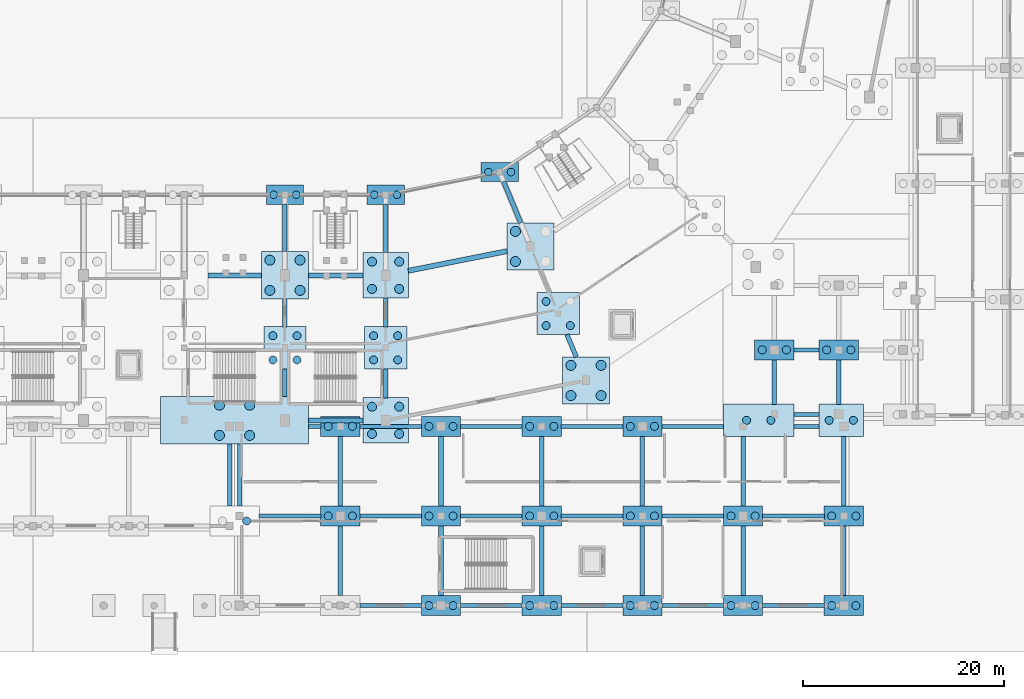
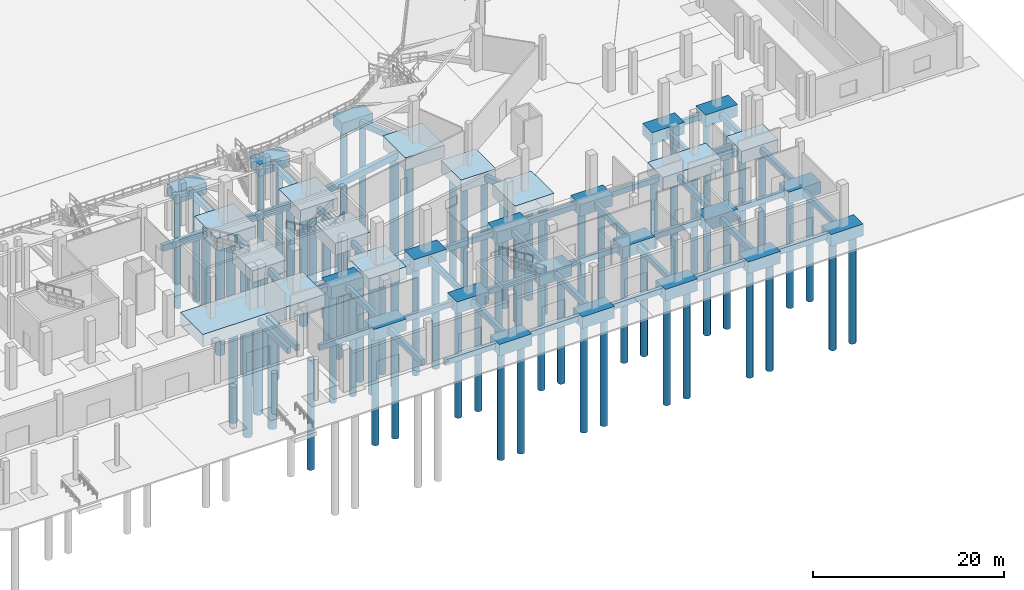
# One storey, part 6 of 68: 78 footings, 78 piles.
"""IFC4 building model written with IfcOpenShell, lengths in metres."""

from ifc_helpers import new_model, si_unit, direction, frame, origin, origin_2d, place, context, subcontext, project, spatial, rectangle, circle, extrude, material, material_profile, profile_set, type_object, element, save


model = new_model("IFC4")

# Units and contexts
model_context = context("Model", 3, precision=1e-05, world=origin(), true_north=direction((0.0, 1.0)))
body_context = subcontext(model_context, "Body", "Model", "MODEL_VIEW")
ifc_project = project(units=[si_unit("LENGTHUNIT", "METRE"), si_unit("AREAUNIT", "SQUARE_METRE"), si_unit("VOLUMEUNIT", "CUBIC_METRE"), si_unit("PLANEANGLEUNIT", "RADIAN"), si_unit("MASSUNIT", "GRAM", prefix="KILO")], contexts=[model_context])

# Site, building, storey
site_placement = place(None, origin())
site = spatial("IfcSite", under=ifc_project, at=site_placement, CompositionType="ELEMENT")
building_placement = place(site_placement, origin())
building = spatial("IfcBuilding", under=site, at=building_placement, Name="Candeia Ridge Stadium", CompositionType="ELEMENT")
storey_placement = place(building_placement, origin())
storey = spatial("IfcBuildingStorey", under=building, at=storey_placement, Name="L00", CompositionType="ELEMENT", Elevation=0.0)

# Piles
ifc_material = material(Name="Concrete C40/50", Category="concrete")
ifc_material_profile_1 = material_profile(ifc_material, circle(Radius=0.5, at=origin_2d()), Name="PILE-D1000", Category="concrete")
ifc_profile_set_1 = profile_set([ifc_material_profile_1], Name="Concrete C40/50")
pile_type_1 = type_object("IfcPileType", Name="Bored Concrete Pile D1000", PredefinedType="BORED", material=ifc_profile_set_1)
for number, where, z_axis, x_axis, name in (
    (1, (124.5, 17.5, -1.39990234375), (0.0, 0.0, -1.0), (1.0, 0.0, 0.0), "Bored concrete foundation pile PILE-0325"),
    (2, (127.5, 17.5, -1.39990234375), (0.0, 0.0, -1.0), (1.0, 0.0, 0.0), "Bored concrete foundation pile PILE-0326"),
    (3, (124.5, 20.5, -1.39990234375), (0.0, 0.0, -1.0), (1.0, 0.0, 0.0), "Bored concrete foundation pile PILE-0327"),
    (4, (127.5, 20.5, -1.39990234375), (0.0, 0.0, -1.0), (1.0, 0.0, 0.0), "Bored concrete foundation pile PILE-0328"),
    (5, (129.5, 31.89990234375, -1.39990234375), (0.0, 0.0, -1.0), (1.0, 0.0, 0.0), "Bored concrete foundation pile PILE-0331"),
    (6, (132.5, 31.89990234375, -1.39990234375), (0.0, 0.0, -1.0), (1.0, 0.0, 0.0), "Bored concrete foundation pile PILE-0332"),
    (7, (129.5, 34.89990234375, -1.39990234375), (0.0, 0.0, -1.0), (1.0, 0.0, 0.0), "Bored concrete foundation pile PILE-0333"),
    (8, (132.5, 34.89990234375, -1.39990234375), (0.0, 0.0, -1.0), (1.0, 0.0, 0.0), "Bored concrete foundation pile PILE-0334"),
    (9, (153.888916015625, 34.76220703125, -1.39990234375), (0.0, 0.0, -1.0), (1.0, 0.0, 0.0), "Bored concrete foundation pile PILE-0355"),
    (10, (153.888916015625, 37.76220703125, -1.39990234375), (0.0, 0.0, -1.0), (1.0, 0.0, 0.0), "Bored concrete foundation pile PILE-0357"),
    (11, (159.3994140625, 21.458251953125, -1.39990234375), (0.0, 0.0, -1.0), (1.0, 0.0, 0.0), "Bored concrete foundation pile PILE-0363"),
    (12, (162.3994140625, 21.458251953125, -1.39990234375), (0.0, 0.0, -1.0), (1.0, 0.0, 0.0), "Bored concrete foundation pile PILE-0364"),
    (13, (159.3994140625, 24.458251953125, -1.39990234375), (0.0, 0.0, -1.0), (1.0, 0.0, 0.0), "Bored concrete foundation pile PILE-0365"),
    (14, (162.3994140625, 24.458251953125, -1.39990234375), (0.0, 0.0, -1.0), (1.0, 0.0, 0.0), "Bored concrete foundation pile PILE-0366"),
):
    element("IfcPile", number, at=place(storey_placement, frame(where, z_axis=z_axis, x_axis=x_axis)), inside=storey, type_object=pile_type_1, Name=name, PredefinedType="BORED", context=body_context, shape_type="SweptSolid", body=[
        extrude(circle(Radius=0.5, at=origin_2d()), origin(), (0.0, 0.0, 1.0), 14.0),
    ])
ifc_material_profile_2 = material_profile(ifc_material, circle(Radius=0.375, at=origin_2d()), Name="PILE-D750", Category="concrete")
ifc_profile_set_2 = profile_set([ifc_material_profile_2], Name="Concrete C40/50")
pile_type_2 = type_object("IfcPileType", Name="Bored Concrete Pile D750", PredefinedType="BORED", material=ifc_profile_set_2)
for number, where, z_axis, x_axis, name in (
    (15, (129.875, 41.39990234375, -1.39990234375), (0.0, 0.0, -1.0), (1.0, 0.0, 0.0), "Bored concrete foundation pile PILE-0329"),
    (16, (132.125, 41.39990234375, -1.39990234375), (0.0, 0.0, -1.0), (1.0, 0.0, 0.0), "Bored concrete foundation pile PILE-0330"),
    (17, (139.875, 41.39990234375, -1.39990234375), (0.0, 0.0, -1.0), (1.0, 0.0, 0.0), "Bored concrete foundation pile PILE-0339"),
    (18, (142.125, 41.39990234375, -1.39990234375), (0.0, 0.0, -1.0), (1.0, 0.0, 0.0), "Bored concrete foundation pile PILE-0340"),
    (19, (151.202392578125, 43.6533203125, -1.39990234375), (0.0, 0.0, -1.0), (1.0, 0.0, 0.0), "Bored concrete foundation pile PILE-0353"),
    (20, (153.452392578125, 43.6533203125, -1.39990234375), (0.0, 0.0, -1.0), (1.0, 0.0, 0.0), "Bored concrete foundation pile PILE-0354"),
):
    element("IfcPile", number, at=place(storey_placement, frame(where, z_axis=z_axis, x_axis=x_axis)), inside=storey, type_object=pile_type_2, Name=name, PredefinedType="BORED", context=body_context, shape_type="SweptSolid", body=[
        extrude(circle(Radius=0.375, at=origin_2d()), origin(), (0.0, 0.0, 1.0), 14.0),
    ])
ifc_material_profile_3 = material_profile(ifc_material, circle(Radius=0.39990234375, at=origin_2d()), Name="PILE-D800", Category="concrete")
ifc_profile_set_3 = profile_set([ifc_material_profile_3], Name="Concrete C40/50")
pile_type_3 = type_object("IfcPileType", Name="Bored Concrete Pile D800", PredefinedType="BORED", material=ifc_profile_set_3)
for number, where, z_axis, x_axis, name in (
    (21, (129.800048828125, 25.0, -1.39990234375), (0.0, 0.0, -1.0), (1.0, 0.0, 0.0), "Bored concrete foundation pile PILE-0335"),
    (22, (132.199951171875, 25.0, -1.39990234375), (0.0, 0.0, -1.0), (1.0, 0.0, 0.0), "Bored concrete foundation pile PILE-0336"),
    (23, (129.800048828125, 27.39990234375, -1.39990234375), (0.0, 0.0, -1.0), (1.0, 0.0, 0.0), "Bored concrete foundation pile PILE-0337"),
    (24, (132.199951171875, 27.39990234375, -1.39990234375), (0.0, 0.0, -1.0), (1.0, 0.0, 0.0), "Bored concrete foundation pile PILE-0338"),
    (25, (139.800048828125, 25.0, -1.39990234375), (0.0, 0.0, -1.0), (1.0, 0.0, 0.0), "Bored concrete foundation pile PILE-0345"),
    (26, (142.199951171875, 25.0, -1.39990234375), (0.0, 0.0, -1.0), (1.0, 0.0, 0.0), "Bored concrete foundation pile PILE-0346"),
    (27, (139.800048828125, 27.39990234375, -1.39990234375), (0.0, 0.0, -1.0), (1.0, 0.0, 0.0), "Bored concrete foundation pile PILE-0347"),
    (28, (142.199951171875, 27.39990234375, -1.39990234375), (0.0, 0.0, -1.0), (1.0, 0.0, 0.0), "Bored concrete foundation pile PILE-0348"),
    (29, (156.944091796875, 28.41015625, -1.39990234375), (0.0, 0.0, -1.0), (1.0, 0.0, 0.0), "Bored concrete foundation pile PILE-0359"),
    (30, (159.34423828125, 28.41015625, -1.39990234375), (0.0, 0.0, -1.0), (1.0, 0.0, 0.0), "Bored concrete foundation pile PILE-0360"),
    (31, (156.944091796875, 30.810302734375, -1.39990234375), (0.0, 0.0, -1.0), (1.0, 0.0, 0.0), "Bored concrete foundation pile PILE-0361"),
    (32, (127.199951171875, 9.0, -1.39990234375), (0.0, 0.0, -1.0), (1.0, 0.0, 0.0), "Bored concrete foundation pile PILE-0762"),
    (33, (135.300048828125, 9.5, -1.39990234375), (0.0, 0.0, -1.0), (1.0, 0.0, 0.0), "Bored concrete foundation pile PILE-0765"),
    (34, (137.699951171875, 9.5, -1.39990234375), (0.0, 0.0, -1.0), (1.0, 0.0, 0.0), "Bored concrete foundation pile PILE-0766"),
    (35, (135.300048828125, 18.39990234375, -1.39990234375), (0.0, 0.0, -1.0), (1.0, 0.0, 0.0), "Bored concrete foundation pile PILE-0767"),
    (36, (137.699951171875, 18.39990234375, -1.39990234375), (0.0, 0.0, -1.0), (1.0, 0.0, 0.0), "Bored concrete foundation pile PILE-0768"),
    (37, (145.300048828125, 0.60009765625, -1.39990234375), (0.0, 0.0, -1.0), (1.0, 0.0, 0.0), "Bored concrete foundation pile PILE-0769"),
    (38, (147.699951171875, 0.60009765625, -1.39990234375), (0.0, 0.0, -1.0), (1.0, 0.0, 0.0), "Bored concrete foundation pile PILE-0770"),
    (39, (145.300048828125, 9.5, -1.39990234375), (0.0, 0.0, -1.0), (1.0, 0.0, 0.0), "Bored concrete foundation pile PILE-0771"),
    (40, (147.699951171875, 9.5, -1.39990234375), (0.0, 0.0, -1.0), (1.0, 0.0, 0.0), "Bored concrete foundation pile PILE-0772"),
    (41, (145.300048828125, 18.39990234375, -1.39990234375), (0.0, 0.0, -1.0), (1.0, 0.0, 0.0), "Bored concrete foundation pile PILE-0773"),
    (42, (147.699951171875, 18.39990234375, -1.39990234375), (0.0, 0.0, -1.0), (1.0, 0.0, 0.0), "Bored concrete foundation pile PILE-0774"),
    (43, (155.300048828125, 0.60009765625, -1.39990234375), (0.0, 0.0, -1.0), (1.0, 0.0, 0.0), "Bored concrete foundation pile PILE-0775"),
    (44, (157.699951171875, 0.60009765625, -1.39990234375), (0.0, 0.0, -1.0), (1.0, 0.0, 0.0), "Bored concrete foundation pile PILE-0776"),
    (45, (155.300048828125, 9.5, -1.39990234375), (0.0, 0.0, -1.0), (1.0, 0.0, 0.0), "Bored concrete foundation pile PILE-0777"),
    (46, (157.699951171875, 9.5, -1.39990234375), (0.0, 0.0, -1.0), (1.0, 0.0, 0.0), "Bored concrete foundation pile PILE-0778"),
    (47, (155.300048828125, 18.39990234375, -1.39990234375), (0.0, 0.0, -1.0), (1.0, 0.0, 0.0), "Bored concrete foundation pile PILE-0779"),
    (48, (157.699951171875, 18.39990234375, -1.39990234375), (0.0, 0.0, -1.0), (1.0, 0.0, 0.0), "Bored concrete foundation pile PILE-0780"),
    (49, (165.300048828125, 0.60009765625, -1.39990234375), (0.0, 0.0, -1.0), (1.0, 0.0, 0.0), "Bored concrete foundation pile PILE-0781"),
    (50, (167.699951171875, 0.60009765625, -1.39990234375), (0.0, 0.0, -1.0), (1.0, 0.0, 0.0), "Bored concrete foundation pile PILE-0782"),
    (51, (165.300048828125, 9.5, -1.39990234375), (0.0, 0.0, -1.0), (1.0, 0.0, 0.0), "Bored concrete foundation pile PILE-0783"),
    (52, (167.699951171875, 9.5, -1.39990234375), (0.0, 0.0, -1.0), (1.0, 0.0, 0.0), "Bored concrete foundation pile PILE-0784"),
    (53, (165.300048828125, 18.39990234375, -1.39990234375), (0.0, 0.0, -1.0), (1.0, 0.0, 0.0), "Bored concrete foundation pile PILE-0785"),
    (54, (167.699951171875, 18.39990234375, -1.39990234375), (0.0, 0.0, -1.0), (1.0, 0.0, 0.0), "Bored concrete foundation pile PILE-0786"),
    (55, (175.300048828125, 0.60009765625, -1.39990234375), (0.0, 0.0, -1.0), (1.0, 0.0, 0.0), "Bored concrete foundation pile PILE-0787"),
    (56, (177.699951171875, 0.60009765625, -1.39990234375), (0.0, 0.0, -1.0), (1.0, 0.0, 0.0), "Bored concrete foundation pile PILE-0788"),
    (57, (175.300048828125, 9.5, -1.39990234375), (0.0, 0.0, -1.0), (1.0, 0.0, 0.0), "Bored concrete foundation pile PILE-0789"),
    (58, (177.699951171875, 9.5, -1.39990234375), (0.0, 0.0, -1.0), (1.0, 0.0, 0.0), "Bored concrete foundation pile PILE-0790"),
    (59, (176.85009765625, 19.0, -1.39990234375), (0.0, 0.0, -1.0), (1.0, 0.0, 0.0), "Bored concrete foundation pile PILE-0791"),
    (60, (179.25, 19.0, -1.39990234375), (0.0, 0.0, -1.0), (1.0, 0.0, 0.0), "Bored concrete foundation pile PILE-0792"),
    (61, (185.300048828125, 0.60009765625, -1.39990234375), (0.0, 0.0, -1.0), (1.0, 0.0, 0.0), "Bored concrete foundation pile PILE-0793"),
    (62, (187.699951171875, 0.60009765625, -1.39990234375), (0.0, 0.0, -1.0), (1.0, 0.0, 0.0), "Bored concrete foundation pile PILE-0794"),
    (63, (185.300048828125, 9.5, -1.39990234375), (0.0, 0.0, -1.0), (1.0, 0.0, 0.0), "Bored concrete foundation pile PILE-0795"),
    (64, (187.699951171875, 9.5, -1.39990234375), (0.0, 0.0, -1.0), (1.0, 0.0, 0.0), "Bored concrete foundation pile PILE-0796"),
    (65, (185.050048828125, 19.0, -1.39990234375), (0.0, 0.0, -1.0), (1.0, 0.0, 0.0), "Bored concrete foundation pile PILE-0797"),
    (66, (187.449951171875, 19.0, -1.39990234375), (0.0, 0.0, -1.0), (1.0, 0.0, 0.0), "Bored concrete foundation pile PILE-0798"),
    (67, (178.39990234375, 26.0, -1.39990234375), (0.0, 0.0, -1.0), (1.0, 0.0, 0.0), "Bored concrete foundation pile PILE-0907"),
    (68, (180.800048828125, 26.0, -1.39990234375), (0.0, 0.0, -1.0), (1.0, 0.0, 0.0), "Bored concrete foundation pile PILE-0908"),
    (69, (184.800048828125, 26.0, -1.39990234375), (0.0, 0.0, -1.0), (1.0, 0.0, 0.0), "Bored concrete foundation pile PILE-0909"),
    (70, (187.199951171875, 26.0, -1.39990234375), (0.0, 0.0, -1.0), (1.0, 0.0, 0.0), "Bored concrete foundation pile PILE-0910"),
):
    element("IfcPile", number, at=place(storey_placement, frame(where, z_axis=z_axis, x_axis=x_axis)), inside=storey, type_object=pile_type_3, Name=name, PredefinedType="BORED", context=body_context, shape_type="SweptSolid", body=[
        extrude(circle(Radius=0.39990234375, at=origin_2d()), origin(), (0.0, 0.0, 1.0), 14.0),
    ])
ifc_material_profile_4 = material_profile(ifc_material, circle(Radius=0.449951171875, at=origin_2d()), Name="PILE-D900", Category="concrete")
ifc_profile_set_4 = profile_set([ifc_material_profile_4], Name="Concrete C40/50")
pile_type_4 = type_object("IfcPileType", Name="Bored Concrete Pile D900", PredefinedType="BORED", material=ifc_profile_set_4)
for number, where, z_axis, x_axis, name in (
    (71, (139.64990234375, 32.050048828125, -1.39990234375), (0.0, 0.0, -1.0), (1.0, 0.0, 0.0), "Bored concrete foundation pile PILE-0341"),
    (72, (142.35009765625, 32.050048828125, -1.39990234375), (0.0, 0.0, -1.0), (1.0, 0.0, 0.0), "Bored concrete foundation pile PILE-0342"),
    (73, (139.64990234375, 34.75, -1.39990234375), (0.0, 0.0, -1.0), (1.0, 0.0, 0.0), "Bored concrete foundation pile PILE-0343"),
    (74, (142.35009765625, 34.75, -1.39990234375), (0.0, 0.0, -1.0), (1.0, 0.0, 0.0), "Bored concrete foundation pile PILE-0344"),
    (75, (139.64990234375, 17.64990234375, -1.39990234375), (0.0, 0.0, -1.0), (1.0, 0.0, 0.0), "Bored concrete foundation pile PILE-0349"),
    (76, (142.35009765625, 17.64990234375, -1.39990234375), (0.0, 0.0, -1.0), (1.0, 0.0, 0.0), "Bored concrete foundation pile PILE-0350"),
    (77, (139.64990234375, 20.35009765625, -1.39990234375), (0.0, 0.0, -1.0), (1.0, 0.0, 0.0), "Bored concrete foundation pile PILE-0351"),
    (78, (142.35009765625, 20.35009765625, -1.39990234375), (0.0, 0.0, -1.0), (1.0, 0.0, 0.0), "Bored concrete foundation pile PILE-0352"),
):
    element("IfcPile", number, at=place(storey_placement, frame(where, z_axis=z_axis, x_axis=x_axis)), inside=storey, type_object=pile_type_4, Name=name, PredefinedType="BORED", context=body_context, shape_type="SweptSolid", body=[
        extrude(circle(Radius=0.449951171875, at=origin_2d()), origin(), (0.0, 0.0, 1.0), 14.0),
    ])

# Footings
footing_type_1 = type_object("IfcFootingType", Name="Ground Tie Beam 400x700", PredefinedType="FOOTING_BEAM", material=ifc_material)
footing_1_placement = place(storey_placement, frame((131.5, 9.5, -1.0498046875), z_axis=(0.0, 0.0, 1.0), x_axis=(1.0, 0.0, 0.0)))
element("IfcFooting", 79, at=footing_1_placement, inside=storey, type_object=footing_type_1, Name="Ground tie beam GTB-0324", PredefinedType="FOOTING_BEAM", context=body_context, shape_type="SweptSolid", body=[
    extrude(rectangle(XDim=6.1201171875, YDim=0.39990234375, at=origin_2d()), origin(), (0.0, 0.0, 1.0), 0.699951171875),
])
footing_2_placement = place(storey_placement, frame((133.949951171875, 18.39990234375, -1.0498046875), z_axis=(0.0, 0.0, 1.0), x_axis=(1.0, 0.0, 0.0)))
element("IfcFooting", 80, at=footing_2_placement, inside=storey, type_object=footing_type_1, Name="Ground tie beam GTB-0325", PredefinedType="FOOTING_BEAM", context=body_context, shape_type="SweptSolid", body=[
    extrude(rectangle(XDim=1.219970703125, YDim=0.39990234375, at=origin_2d()), origin(), (0.0, 0.0, 1.0), 0.699951171875),
])
for number, where, z_axis, x_axis, name in (
    (81, (141.5, 0.60009765625, -1.0498046875), (0.0, 0.0, 1.0), (1.0, 0.0, 0.0), "Ground tie beam GTB-0327"),
    (82, (141.5, 9.5, -1.0498046875), (0.0, 0.0, 1.0), (1.0, 0.0, 0.0), "Ground tie beam GTB-0329"),
    (83, (141.5, 18.39990234375, -1.0498046875), (0.0, 0.0, 1.0), (1.0, 0.0, 0.0), "Ground tie beam GTB-0330"),
    (84, (151.5, 0.60009765625, -1.0498046875), (0.0, 0.0, 1.0), (1.0, 0.0, 0.0), "Ground tie beam GTB-0332"),
    (85, (151.5, 9.5, -1.0498046875), (0.0, 0.0, 1.0), (1.0, 0.0, 0.0), "Ground tie beam GTB-0334"),
    (86, (151.5, 18.39990234375, -1.0498046875), (0.0, 0.0, 1.0), (1.0, 0.0, 0.0), "Ground tie beam GTB-0335"),
    (87, (161.5, 0.60009765625, -1.0498046875), (0.0, 0.0, 1.0), (1.0, 0.0, 0.0), "Ground tie beam GTB-0337"),
    (88, (161.5, 9.5, -1.0498046875), (0.0, 0.0, 1.0), (1.0, 0.0, 0.0), "Ground tie beam GTB-0339"),
    (89, (161.5, 18.39990234375, -1.0498046875), (0.0, 0.0, 1.0), (1.0, 0.0, 0.0), "Ground tie beam GTB-0340"),
    (90, (171.5, 0.60009765625, -1.0498046875), (0.0, 0.0, 1.0), (1.0, 0.0, 0.0), "Ground tie beam GTB-0342"),
    (91, (171.5, 9.5, -1.0498046875), (0.0, 0.0, 1.0), (1.0, 0.0, 0.0), "Ground tie beam GTB-0344"),
    (92, (171.5, 18.39990234375, -1.0498046875), (0.0, 0.0, 1.0), (1.0, 0.0, 0.0), "Ground tie beam GTB-0345"),
    (93, (181.5, 0.60009765625, -1.0498046875), (0.0, 0.0, 1.0), (1.0, 0.0, 0.0), "Ground tie beam GTB-0347"),
    (94, (181.5, 9.5, -1.0498046875), (0.0, 0.0, 1.0), (1.0, 0.0, 0.0), "Ground tie beam GTB-0349"),
):
    element("IfcFooting", number, at=place(storey_placement, frame(where, z_axis=z_axis, x_axis=x_axis)), inside=storey, type_object=footing_type_1, Name=name, PredefinedType="FOOTING_BEAM", context=body_context, shape_type="SweptSolid", body=[
        extrude(rectangle(XDim=6.1201171875, YDim=0.39990234375, at=origin_2d()), origin(), (0.0, 0.0, 1.0), 0.699951171875),
    ])
for number, where, z_axis, x_axis, name in (
    (95, (182.800048828125, 18.39990234375, -1.0498046875), (0.0, 0.0, 1.0), (1.0, 0.0, 0.0), "Ground tie beam GTB-0350"),
    (96, (182.800048828125, 19.60009765625, -1.0498046875), (0.0, 0.0, 1.0), (1.0, 0.0, 0.0), "Ground tie beam GTB-0462"),
    (97, (182.800048828125, 26.0, -1.0498046875), (0.0, 0.0, 1.0), (1.0, 0.0, 0.0), "Ground tie beam GTB-0464"),
):
    element("IfcFooting", number, at=place(storey_placement, frame(where, z_axis=z_axis, x_axis=x_axis)), inside=storey, type_object=footing_type_1, Name=name, PredefinedType="FOOTING_BEAM", context=body_context, shape_type="SweptSolid", body=[
        extrude(rectangle(XDim=2.52001953125, YDim=0.39990234375, at=origin_2d()), origin(), (0.0, 0.0, 1.0), 0.699951171875),
    ])
footing_type_2 = type_object("IfcFootingType", Name="Ground Tie Beam 450x750", PredefinedType="FOOTING_BEAM", material=ifc_material)
footing_3_placement = place(storey_placement, frame((131.0, 38.10009765625, -1.074951171875), z_axis=(0.0, 0.0, 1.0), x_axis=(0.0, -1.0, 0.0)))
element("IfcFooting", 98, at=footing_3_placement, inside=storey, type_object=footing_type_2, Name="Ground tie beam GTB-0110", PredefinedType="FOOTING_BEAM", context=body_context, shape_type="SweptSolid", body=[
    extrude(rectangle(XDim=4.719970703125, YDim=0.449951171875, at=origin_2d()), origin(), (0.0, 0.0, 1.0), 0.75),
])
for number, where, z_axis, x_axis, name in (
    (99, (131.0, 29.675048828125, -1.074951171875), (0.0, 0.0, 1.0), (0.0, -1.0, 0.0), "Ground tie beam GTB-0111"),
    (100, (131.0, 22.72509765625, -1.074951171875), (0.0, 0.0, 1.0), (0.0, -1.0, 0.0), "Ground tie beam GTB-0112"),
):
    element("IfcFooting", number, at=place(storey_placement, frame(where, z_axis=z_axis, x_axis=x_axis)), inside=storey, type_object=footing_type_2, Name=name, PredefinedType="FOOTING_BEAM", context=body_context, shape_type="SweptSolid", body=[
        extrude(rectangle(XDim=2.77001953125, YDim=0.449951171875, at=origin_2d()), origin(), (0.0, 0.0, 1.0), 0.75),
    ])
footing_4_placement = place(storey_placement, frame((141.0, 38.050048828125, -1.074951171875), z_axis=(0.0, 0.0, 1.0), x_axis=(0.0, -1.0, 0.0)))
element("IfcFooting", 101, at=footing_4_placement, inside=storey, type_object=footing_type_2, Name="Ground tie beam GTB-0114", PredefinedType="FOOTING_BEAM", context=body_context, shape_type="SweptSolid", body=[
    extrude(rectangle(XDim=4.820068359375, YDim=0.449951171875, at=origin_2d()), origin(), (0.0, 0.0, 1.0), 0.75),
])
for number, where, z_axis, x_axis, name in (
    (102, (141.0, 29.72509765625, -1.074951171875), (0.0, 0.0, 1.0), (0.0, -1.0, 0.0), "Ground tie beam GTB-0115"),
    (103, (141.0, 22.675048828125, -1.074951171875), (0.0, 0.0, 1.0), (0.0, -1.0, 0.0), "Ground tie beam GTB-0116"),
):
    element("IfcFooting", number, at=place(storey_placement, frame(where, z_axis=z_axis, x_axis=x_axis)), inside=storey, type_object=footing_type_2, Name=name, PredefinedType="FOOTING_BEAM", context=body_context, shape_type="SweptSolid", body=[
        extrude(rectangle(XDim=2.8701171875, YDim=0.449951171875, at=origin_2d()), origin(), (0.0, 0.0, 1.0), 0.75),
    ])
footing_5_placement = place(storey_placement, frame((153.568115234375, 40.65771484375, -1.074951171875), z_axis=(0.0, 0.0, 1.0), x_axis=(0.382681391665, -0.923880377794, 0.0)))
element("IfcFooting", 104, at=footing_5_placement, inside=storey, type_object=footing_type_2, Name="Ground tie beam GTB-0118", PredefinedType="FOOTING_BEAM", context=body_context, shape_type="SweptSolid", body=[
    extrude(rectangle(XDim=4.447998046875, YDim=0.449951171875, at=origin_2d()), origin(), (0.0, 0.0, 1.0), 0.75),
])
footing_6_placement = place(storey_placement, frame((159.47021484375, 26.4091796875, -1.074951171875), z_axis=(0.0, 0.0, 1.0), x_axis=(0.382711917213, -0.923867733186, 0.0)))
element("IfcFooting", 105, at=footing_6_placement, inside=storey, type_object=footing_type_2, Name="Ground tie beam GTB-0120", PredefinedType="FOOTING_BEAM", context=body_context, shape_type="SweptSolid", body=[
    extrude(rectangle(XDim=2.4033203125, YDim=0.449951171875, at=origin_2d()), origin(), (0.0, 0.0, 1.0), 0.75),
])
footing_7_placement = place(storey_placement, frame((126.5, 13.574951171875, -1.074951171875), z_axis=(0.0, 0.0, 1.0), x_axis=(0.0, 1.0, 0.0)))
element("IfcFooting", 106, at=footing_7_placement, inside=storey, type_object=footing_type_2, Name="Ground tie beam GTB-0323", PredefinedType="FOOTING_BEAM", context=body_context, shape_type="SweptSolid", body=[
    extrude(rectangle(XDim=6.169921875, YDim=0.449951171875, at=origin_2d()), origin(), (0.0, 0.0, 1.0), 0.75),
])
for number, where, z_axis, x_axis, name in (
    (107, (136.5, 5.050048828125, -1.074951171875), (0.0, 0.0, 1.0), (0.0, 1.0, 0.0), "Ground tie beam GTB-0326"),
    (108, (136.5, 13.949951171875, -1.074951171875), (0.0, 0.0, 1.0), (0.0, 1.0, 0.0), "Ground tie beam GTB-0328"),
    (109, (146.5, 5.050048828125, -1.074951171875), (0.0, 0.0, 1.0), (0.0, 1.0, 0.0), "Ground tie beam GTB-0331"),
    (110, (146.5, 13.949951171875, -1.074951171875), (0.0, 0.0, 1.0), (0.0, 1.0, 0.0), "Ground tie beam GTB-0333"),
    (111, (156.5, 5.050048828125, -1.074951171875), (0.0, 0.0, 1.0), (0.0, 1.0, 0.0), "Ground tie beam GTB-0336"),
    (112, (156.5, 13.949951171875, -1.074951171875), (0.0, 0.0, 1.0), (0.0, 1.0, 0.0), "Ground tie beam GTB-0338"),
    (113, (166.5, 5.050048828125, -1.074951171875), (0.0, 0.0, 1.0), (0.0, 1.0, 0.0), "Ground tie beam GTB-0341"),
    (114, (166.5, 13.949951171875, -1.074951171875), (0.0, 0.0, 1.0), (0.0, 1.0, 0.0), "Ground tie beam GTB-0343"),
    (115, (176.5, 5.050048828125, -1.074951171875), (0.0, 0.0, 1.0), (0.0, 1.0, 0.0), "Ground tie beam GTB-0346"),
    (116, (176.5, 13.949951171875, -1.074951171875), (0.0, 0.0, 1.0), (0.0, 1.0, 0.0), "Ground tie beam GTB-0348"),
    (117, (186.5, 5.050048828125, -1.074951171875), (0.0, 0.0, 1.0), (0.0, 1.0, 0.0), "Ground tie beam GTB-0351"),
    (118, (186.5, 13.949951171875, -1.074951171875), (0.0, 0.0, 1.0), (0.0, 1.0, 0.0), "Ground tie beam GTB-0352"),
):
    element("IfcFooting", number, at=place(storey_placement, frame(where, z_axis=z_axis, x_axis=x_axis)), inside=storey, type_object=footing_type_2, Name=name, PredefinedType="FOOTING_BEAM", context=body_context, shape_type="SweptSolid", body=[
        extrude(rectangle(XDim=6.919921875, YDim=0.449951171875, at=origin_2d()), origin(), (0.0, 0.0, 1.0), 0.75),
    ])
footing_8_placement = place(storey_placement, frame((125.5, 13.574951171875, -1.074951171875), z_axis=(0.0, 0.0, 1.0), x_axis=(0.0, 1.0, 0.0)))
element("IfcFooting", 119, at=footing_8_placement, inside=storey, type_object=footing_type_2, Name="Ground tie beam GTB-0365", PredefinedType="FOOTING_BEAM", context=body_context, shape_type="SweptSolid", body=[
    extrude(rectangle(XDim=6.169921875, YDim=0.449951171875, at=origin_2d()), origin(), (0.0, 0.0, 1.0), 0.75),
])
for number, where, z_axis, x_axis, name in (
    (120, (179.60009765625, 22.800048828125, -1.074951171875), (0.0, 0.0, 1.0), (0.0, 1.0, 0.0), "Ground tie beam GTB-0461"),
    (121, (186.0, 22.800048828125, -1.074951171875), (0.0, 0.0, 1.0), (0.0, 1.0, 0.0), "Ground tie beam GTB-0466"),
):
    element("IfcFooting", number, at=place(storey_placement, frame(where, z_axis=z_axis, x_axis=x_axis)), inside=storey, type_object=footing_type_2, Name=name, PredefinedType="FOOTING_BEAM", context=body_context, shape_type="SweptSolid", body=[
        extrude(rectangle(XDim=4.419921875, YDim=0.449951171875, at=origin_2d()), origin(), (0.0, 0.0, 1.0), 0.75),
    ])
footing_type_3 = type_object("IfcFootingType", Name="Ground Tie Beam 500x800", PredefinedType="FOOTING_BEAM", material=ifc_material)
footing_9_placement = place(storey_placement, frame((126.0, 33.39990234375, -1.10009765625), z_axis=(0.0, 0.0, 1.0), x_axis=(1.0, 0.0, 0.0)))
element("IfcFooting", 122, at=footing_9_placement, inside=storey, type_object=footing_type_3, Name="Ground tie beam GTB-0104", PredefinedType="FOOTING_BEAM", context=body_context, shape_type="SweptSolid", body=[
    extrude(rectangle(XDim=5.320068359375, YDim=0.5, at=origin_2d()), origin(), (0.0, 0.0, 1.0), 0.800048828125),
])
for number, where, z_axis, x_axis, name in (
    (123, (136.050048828125, 33.39990234375, -1.10009765625), (0.0, 0.0, 1.0), (1.0, 0.0, 0.0), "Ground tie beam GTB-0108"),
    (124, (136.050048828125, 19.0, -1.10009765625), (0.0, 0.0, 1.0), (1.0, 0.0, 0.0), "Ground tie beam GTB-0109"),
):
    element("IfcFooting", number, at=place(storey_placement, frame(where, z_axis=z_axis, x_axis=x_axis)), inside=storey, type_object=footing_type_3, Name=name, PredefinedType="FOOTING_BEAM", context=body_context, shape_type="SweptSolid", body=[
        extrude(rectangle(XDim=5.419921875, YDim=0.5, at=origin_2d()), origin(), (0.0, 0.0, 1.0), 0.800048828125),
    ])
footing_10_placement = place(storey_placement, frame((148.14453125, 34.821044921875, -1.10009765625), z_axis=(0.0, 0.0, 1.0), x_axis=(0.980785891798, 0.195087248302, 0.0)))
element("IfcFooting", 125, at=footing_10_placement, inside=storey, type_object=footing_type_3, Name="Ground tie beam GTB-0113", PredefinedType="FOOTING_BEAM", context=body_context, shape_type="SweptSolid", body=[
    extrude(rectangle(XDim=10.000732421875, YDim=0.5, at=origin_2d()), origin(), (0.0, 0.0, 1.0), 0.800048828125),
])
footing_type_4 = type_object("IfcFootingType", Name="Pile Cap 3700x1900x1450", PredefinedType="PILE_CAP", material=ifc_material)
for number, where, z_axis, x_axis, name in (
    (126, (131.0, 41.39990234375, -1.4501953125), (0.0, 0.0, 1.0), (1.0, 0.0, 0.0), "Reinforced concrete pile cap CAP-095"),
    (127, (141.0, 41.39990234375, -1.4501953125), (0.0, 0.0, 1.0), (1.0, 0.0, 0.0), "Reinforced concrete pile cap CAP-098"),
    (128, (152.327392578125, 43.653076171875, -1.4501953125), (0.0, 0.0, 1.0), (1.0, 0.0, 0.0), "Reinforced concrete pile cap CAP-102"),
):
    element("IfcFooting", number, at=place(storey_placement, frame(where, z_axis=z_axis, x_axis=x_axis)), inside=storey, type_object=footing_type_4, Name=name, PredefinedType="PILE_CAP", context=body_context, shape_type="SweptSolid", body=[
        extrude(rectangle(XDim=3.699951171875, YDim=1.89990234375, at=origin_2d()), origin(), (0.0, 0.0, 1.0), 1.449951171875),
    ])
footing_type_5 = type_object("IfcFootingType", Name="Pile Cap 3900x2000x1500", PredefinedType="PILE_CAP", material=ifc_material)
for number, where, z_axis, x_axis, name in (
    (129, (136.5, 9.5, -1.5), (0.0, 0.0, 1.0), (1.0, 0.0, 0.0), "Reinforced concrete pile cap CAP-238"),
    (130, (136.5, 18.39990234375, -1.5), (0.0, 0.0, 1.0), (1.0, 0.0, 0.0), "Reinforced concrete pile cap CAP-239"),
    (131, (146.5, 0.60009765625, -1.5), (0.0, 0.0, 1.0), (1.0, 0.0, 0.0), "Reinforced concrete pile cap CAP-240"),
    (132, (146.5, 9.5, -1.5), (0.0, 0.0, 1.0), (1.0, 0.0, 0.0), "Reinforced concrete pile cap CAP-241"),
    (133, (146.5, 18.39990234375, -1.5), (0.0, 0.0, 1.0), (1.0, 0.0, 0.0), "Reinforced concrete pile cap CAP-242"),
    (134, (156.5, 0.60009765625, -1.5), (0.0, 0.0, 1.0), (1.0, 0.0, 0.0), "Reinforced concrete pile cap CAP-243"),
    (135, (156.5, 9.5, -1.5), (0.0, 0.0, 1.0), (1.0, 0.0, 0.0), "Reinforced concrete pile cap CAP-244"),
    (136, (156.5, 18.39990234375, -1.5), (0.0, 0.0, 1.0), (1.0, 0.0, 0.0), "Reinforced concrete pile cap CAP-245"),
    (137, (166.5, 0.60009765625, -1.5), (0.0, 0.0, 1.0), (1.0, 0.0, 0.0), "Reinforced concrete pile cap CAP-246"),
    (138, (166.5, 9.5, -1.5), (0.0, 0.0, 1.0), (1.0, 0.0, 0.0), "Reinforced concrete pile cap CAP-247"),
    (139, (166.5, 18.39990234375, -1.5), (0.0, 0.0, 1.0), (1.0, 0.0, 0.0), "Reinforced concrete pile cap CAP-248"),
    (140, (176.5, 0.60009765625, -1.5), (0.0, 0.0, 1.0), (1.0, 0.0, 0.0), "Reinforced concrete pile cap CAP-249"),
    (141, (176.5, 9.5, -1.5), (0.0, 0.0, 1.0), (1.0, 0.0, 0.0), "Reinforced concrete pile cap CAP-250"),
    (142, (186.5, 0.60009765625, -1.5), (0.0, 0.0, 1.0), (1.0, 0.0, 0.0), "Reinforced concrete pile cap CAP-252"),
    (143, (186.5, 9.5, -1.5), (0.0, 0.0, 1.0), (1.0, 0.0, 0.0), "Reinforced concrete pile cap CAP-253"),
    (144, (179.60009765625, 26.0, -1.5), (0.0, 0.0, 1.0), (1.0, 0.0, 0.0), "Reinforced concrete pile cap CAP-309"),
    (145, (186.0, 26.0, -1.5), (0.0, 0.0, 1.0), (1.0, 0.0, 0.0), "Reinforced concrete pile cap CAP-310"),
):
    element("IfcFooting", number, at=place(storey_placement, frame(where, z_axis=z_axis, x_axis=x_axis)), inside=storey, type_object=footing_type_5, Name=name, PredefinedType="PILE_CAP", context=body_context, shape_type="SweptSolid", body=[
        extrude(rectangle(XDim=3.89990234375, YDim=2.0, at=origin_2d()), origin(), (0.0, 0.0, 1.0), 1.5),
    ])
footing_type_6 = type_object("IfcFootingType", Name="Pile Cap 4200x4200x1500", PredefinedType="PILE_CAP", material=ifc_material)
for number, where, z_axis, x_axis, name in (
    (146, (131.0, 26.199951171875, -1.5), (0.0, 0.0, 1.0), (1.0, 0.0, 0.0), "Reinforced concrete pile cap CAP-097"),
    (147, (141.0, 26.199951171875, -1.5), (0.0, 0.0, 1.0), (1.0, 0.0, 0.0), "Reinforced concrete pile cap CAP-100"),
    (148, (158.144287109375, 29.610107421875, -1.5), (0.0, 0.0, 1.0), (1.0, 0.0, 0.0), "Reinforced concrete pile cap CAP-104"),
):
    element("IfcFooting", number, at=place(storey_placement, frame(where, z_axis=z_axis, x_axis=x_axis)), inside=storey, type_object=footing_type_6, Name=name, PredefinedType="PILE_CAP", context=body_context, shape_type="SweptSolid", body=[
        extrude(rectangle(XDim=4.199951171875, YDim=4.199951171875, at=origin_2d()), origin(), (0.0, 0.0, 1.0), 1.5),
    ])
footing_type_7 = type_object("IfcFootingType", Name="Pile Cap 4500x4500x1550", PredefinedType="PILE_CAP", material=ifc_material)
for number, where, z_axis, x_axis, name in (
    (149, (141.0, 33.39990234375, -1.5498046875), (0.0, 0.0, 1.0), (1.0, 0.0, 0.0), "Reinforced concrete pile cap CAP-099"),
    (150, (141.0, 19.0, -1.5498046875), (0.0, 0.0, 1.0), (1.0, 0.0, 0.0), "Reinforced concrete pile cap CAP-101"),
):
    element("IfcFooting", number, at=place(storey_placement, frame(where, z_axis=z_axis, x_axis=x_axis)), inside=storey, type_object=footing_type_7, Name=name, PredefinedType="PILE_CAP", context=body_context, shape_type="SweptSolid", body=[
        extrude(rectangle(XDim=4.5, YDim=4.5, at=origin_2d()), origin(), (0.0, 0.0, 1.0), 1.550048828125),
    ])
footing_type_8 = type_object("IfcFootingType", Name="Pile Cap 4700x4700x1600", PredefinedType="PILE_CAP", material=ifc_material)
for number, where, z_axis, x_axis, name in (
    (151, (131.0, 33.39990234375, -1.60009765625), (0.0, 0.0, 1.0), (1.0, 0.0, 0.0), "Reinforced concrete pile cap CAP-096"),
    (152, (155.388916015625, 36.26220703125, -1.60009765625), (0.0, 0.0, 1.0), (1.0, 0.0, 0.0), "Reinforced concrete pile cap CAP-103"),
    (153, (160.899658203125, 22.958251953125, -1.60009765625), (0.0, 0.0, 1.0), (1.0, 0.0, 0.0), "Reinforced concrete pile cap CAP-105"),
):
    element("IfcFooting", number, at=place(storey_placement, frame(where, z_axis=z_axis, x_axis=x_axis)), inside=storey, type_object=footing_type_8, Name=name, PredefinedType="PILE_CAP", context=body_context, shape_type="SweptSolid", body=[
        extrude(rectangle(XDim=4.699951171875, YDim=4.699951171875, at=origin_2d()), origin(), (0.0, 0.0, 1.0), 1.60009765625),
    ])
footing_type_9 = type_object("IfcFootingType", Name="Pile Cap 5400x4200x1600", PredefinedType="PILE_CAP", material=ifc_material)
footing_11_placement = place(storey_placement, frame((186.25, 19.0, -1.60009765625), z_axis=(0.0, 0.0, 1.0), x_axis=(1.0, 0.0, 0.0)))
element("IfcFooting", 154, at=footing_11_placement, inside=storey, type_object=footing_type_9, Name="Reinforced concrete pile cap CAP-254", PredefinedType="PILE_CAP", context=body_context, shape_type="SweptSolid", body=[
    extrude(rectangle(XDim=4.39990234375, YDim=3.199951171875, at=origin_2d()), origin(), (0.0, 0.0, 1.0), 1.60009765625),
])
footing_type_10 = type_object("IfcFootingType", Name="Pile Cap 6200x4400x1600", PredefinedType="PILE_CAP", material=ifc_material)
footing_12_placement = place(storey_placement, frame((126.0, 19.0, -1.60009765625), z_axis=(0.0, 0.0, 1.0), x_axis=(1.0, 0.0, 0.0)))
element("IfcFooting", 155, at=footing_12_placement, inside=storey, type_object=footing_type_10, Name="Reinforced concrete pile cap CAP-094", PredefinedType="PILE_CAP", context=body_context, shape_type="SweptSolid", body=[
    extrude(rectangle(XDim=14.699951171875, YDim=4.699951171875, at=origin_2d()), origin(), (0.0, 0.0, 1.0), 1.60009765625),
])
footing_13_placement = place(storey_placement, frame((178.050048828125, 19.0, -1.60009765625), z_axis=(0.0, 0.0, 1.0), x_axis=(1.0, 0.0, 0.0)))
element("IfcFooting", 156, at=footing_13_placement, inside=storey, type_object=footing_type_10, Name="Reinforced concrete pile cap CAP-251", PredefinedType="PILE_CAP", context=body_context, shape_type="SweptSolid", body=[
    extrude(rectangle(XDim=7.0, YDim=3.199951171875, at=origin_2d()), origin(), (0.0, 0.0, 1.0), 1.60009765625),
])

save(model, "model.ifc")
